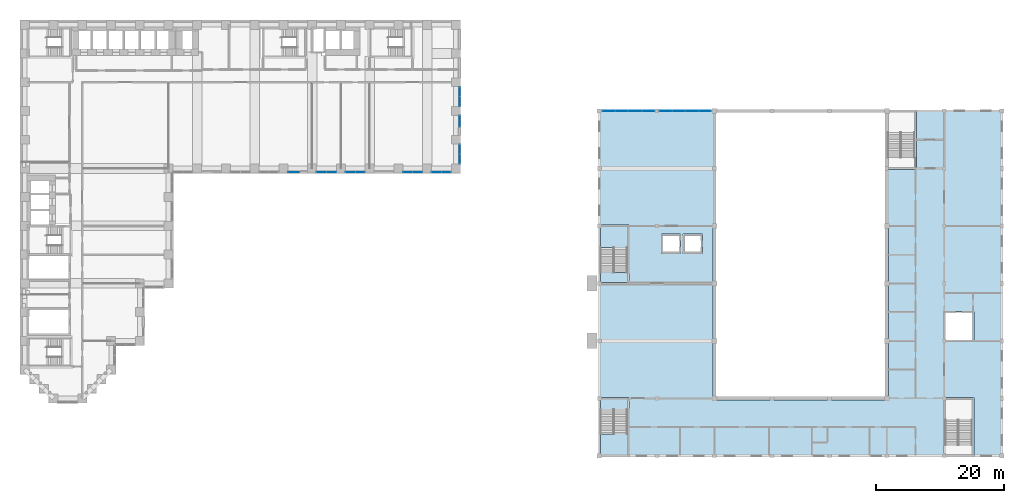
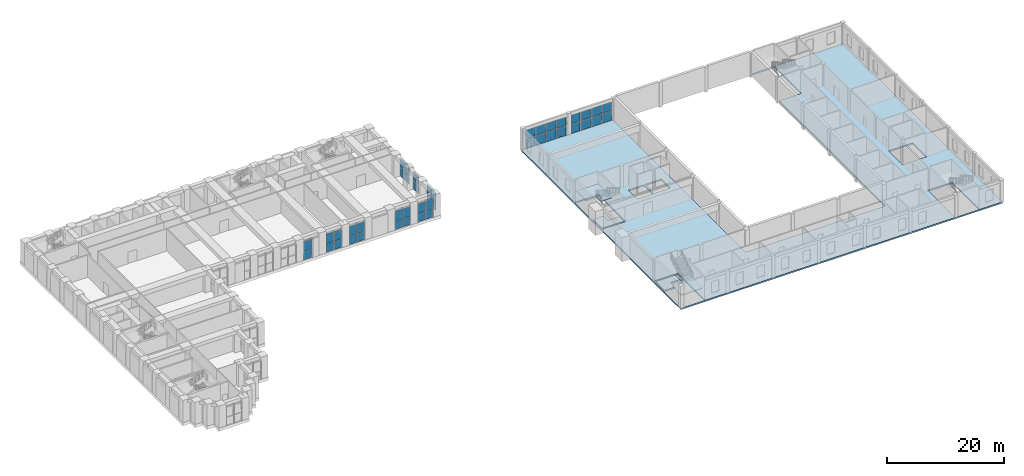
# One storey, part 13 of 30: 44 plates, 5 slabs, 12 elements without a shape of their own.
"""IFC4 building model written with IfcOpenShell, lengths in metres."""

from ifc_helpers import new_model, si_unit, direction, frame, origin, origin_2d, place, context, subcontext, project, spatial, polyline, rectangle, outline, extrude, material, layer, layer_set, type_object, element, aggregate, save


model = new_model("IFC4")

# Units and contexts
model_context = context("Model", 3, precision=1e-05, world=origin(), true_north=direction((0.0, 1.0)))
body_context = subcontext(model_context, "Body", "Model", "MODEL_VIEW")
ifc_project = project(units=[si_unit("LENGTHUNIT", "METRE"), si_unit("AREAUNIT", "SQUARE_METRE"), si_unit("VOLUMEUNIT", "CUBIC_METRE"), si_unit("PLANEANGLEUNIT", "RADIAN"), si_unit("MASSUNIT", "GRAM", prefix="KILO")], contexts=[model_context])

# Site, building, storey
site_placement = place(None, origin())
site = spatial("IfcSite", under=ifc_project, at=site_placement, CompositionType="ELEMENT")
building_placement = place(site_placement, origin())
building = spatial("IfcBuilding", under=site, at=building_placement, Name="Firuza Court", CompositionType="ELEMENT")
storey_placement = place(building_placement, frame((0.0, 0.0, 9.0)))
storey = spatial("IfcBuildingStorey", under=building, at=storey_placement, Name="L01", CompositionType="ELEMENT", Elevation=9.0)

# Curtain wall, plates
ifc_material_1 = material(Name="Aluminium", Category="aluminium")
curtain_wall_type_1 = type_object("IfcCurtainWallType", Name="CW6 FOYER CURTAIN WALL", PredefinedType="NOTDEFINED", material=ifc_material_1)
curtain_wall_1_placement = place(storey_placement, origin())
curtain_wall_1 = element("IfcCurtainWall", 1, at=curtain_wall_1_placement, inside=storey, type_object=curtain_wall_type_1, Name="CW6 foyer curtain wall 5", PredefinedType="NOTDEFINED")
ifc_material_2 = material(Name="Glass", Category="glass")
ifc_layer_1 = layer(ifc_material_2, 0.028076171875)
ifc_layer_set_1 = layer_set([ifc_layer_1], Name="Glass")
plate_type_1 = type_object("IfcPlateType", Name="CW6 GLASS PANEL 28", PredefinedType="CURTAIN_PANEL", material=ifc_layer_set_1)
plate_1_placement = place(storey_placement, frame((91.433837890625, 45.0, 0.1201171875), z_axis=(0.0, 0.0, 1.0), x_axis=(1.0, 0.0, 0.0)))
plate_1 = element("IfcPlate", 2, at=plate_1_placement, type_object=plate_type_1, Name="CW6 panel 1.1", PredefinedType="CURTAIN_PANEL", context=body_context, shape_type="SweptSolid", body=[
    extrude(rectangle(XDim=1.847412109375, YDim=0.028076171875, at=origin_2d()), origin(), (0.0, 0.0, 1.0), 1.919921875),
])
plate_2_placement = place(storey_placement, frame((91.433837890625, 45.0, 2.16015625), z_axis=(0.0, 0.0, 1.0), x_axis=(1.0, 0.0, 0.0)))
plate_2 = element("IfcPlate", 3, at=plate_2_placement, type_object=plate_type_1, Name="CW6 panel 1.2", PredefinedType="CURTAIN_PANEL", context=body_context, shape_type="SweptSolid", body=[
    extrude(rectangle(XDim=1.847412109375, YDim=0.028076171875, at=origin_2d()), origin(), (0.0, 0.0, 1.0), 1.820068359375),
])
plate_3_placement = place(storey_placement, frame((93.481201171875, 45.0, 0.1201171875), z_axis=(0.0, 0.0, 1.0), x_axis=(1.0, 0.0, 0.0)))
plate_3 = element("IfcPlate", 4, at=plate_3_placement, type_object=plate_type_1, Name="CW6 panel 2.1", PredefinedType="CURTAIN_PANEL", context=body_context, shape_type="SweptSolid", body=[
    extrude(rectangle(XDim=1.927490234375, YDim=0.028076171875, at=origin_2d()), origin(), (0.0, 0.0, 1.0), 1.919921875),
])
plate_4_placement = place(storey_placement, frame((93.481201171875, 45.0, 2.16015625), z_axis=(0.0, 0.0, 1.0), x_axis=(1.0, 0.0, 0.0)))
plate_4 = element("IfcPlate", 5, at=plate_4_placement, type_object=plate_type_1, Name="CW6 panel 2.2", PredefinedType="CURTAIN_PANEL", context=body_context, shape_type="SweptSolid", body=[
    extrude(rectangle(XDim=1.927490234375, YDim=0.028076171875, at=origin_2d()), origin(), (0.0, 0.0, 1.0), 1.820068359375),
])
plate_5_placement = place(storey_placement, frame((95.56884765625, 45.0, 0.1201171875), z_axis=(0.0, 0.0, 1.0), x_axis=(1.0, 0.0, 0.0)))
plate_5 = element("IfcPlate", 6, at=plate_5_placement, type_object=plate_type_1, Name="CW6 panel 3.1", PredefinedType="CURTAIN_PANEL", context=body_context, shape_type="SweptSolid", body=[
    extrude(rectangle(XDim=1.927490234375, YDim=0.028076171875, at=origin_2d()), origin(), (0.0, 0.0, 1.0), 1.919921875),
])
plate_6_placement = place(storey_placement, frame((95.56884765625, 45.0, 2.16015625), z_axis=(0.0, 0.0, 1.0), x_axis=(1.0, 0.0, 0.0)))
plate_6 = element("IfcPlate", 7, at=plate_6_placement, type_object=plate_type_1, Name="CW6 panel 3.2", PredefinedType="CURTAIN_PANEL", context=body_context, shape_type="SweptSolid", body=[
    extrude(rectangle(XDim=1.927490234375, YDim=0.028076171875, at=origin_2d()), origin(), (0.0, 0.0, 1.0), 1.820068359375),
])
plate_7_placement = place(storey_placement, frame((97.6162109375, 45.0, 0.1201171875), z_axis=(0.0, 0.0, 1.0), x_axis=(1.0, 0.0, 0.0)))
plate_7 = element("IfcPlate", 8, at=plate_7_placement, type_object=plate_type_1, Name="CW6 panel 4.1", PredefinedType="CURTAIN_PANEL", context=body_context, shape_type="SweptSolid", body=[
    extrude(rectangle(XDim=1.847412109375, YDim=0.028076171875, at=origin_2d()), origin(), (0.0, 0.0, 1.0), 1.919921875),
])
plate_8_placement = place(storey_placement, frame((97.6162109375, 45.0, 2.16015625), z_axis=(0.0, 0.0, 1.0), x_axis=(1.0, 0.0, 0.0)))
plate_8 = element("IfcPlate", 9, at=plate_8_placement, type_object=plate_type_1, Name="CW6 panel 4.2", PredefinedType="CURTAIN_PANEL", context=body_context, shape_type="SweptSolid", body=[
    extrude(rectangle(XDim=1.847412109375, YDim=0.028076171875, at=origin_2d()), origin(), (0.0, 0.0, 1.0), 1.820068359375),
])
aggregate(curtain_wall_1, [plate_1, plate_2, plate_3, plate_4, plate_5, plate_6, plate_7, plate_8])

curtain_wall_2_placement = place(storey_placement, origin())
curtain_wall_2 = element("IfcCurtainWall", 10, at=curtain_wall_2_placement, inside=storey, type_object=curtain_wall_type_1, Name="CW6 foyer curtain wall 6", PredefinedType="NOTDEFINED")
plate_9_placement = place(storey_placement, frame((100.37744140625, 45.0, 0.1201171875), z_axis=(0.0, 0.0, 1.0), x_axis=(1.0, 0.0, 0.0)))
plate_9 = element("IfcPlate", 11, at=plate_9_placement, type_object=plate_type_1, Name="CW6 panel 1.1", PredefinedType="CURTAIN_PANEL", context=body_context, shape_type="SweptSolid", body=[
    extrude(rectangle(XDim=1.8349609375, YDim=0.028076171875, at=origin_2d()), origin(), (0.0, 0.0, 1.0), 1.919921875),
])
plate_10_placement = place(storey_placement, frame((100.37744140625, 45.0, 2.16015625), z_axis=(0.0, 0.0, 1.0), x_axis=(1.0, 0.0, 0.0)))
plate_10 = element("IfcPlate", 12, at=plate_10_placement, type_object=plate_type_1, Name="CW6 panel 1.2", PredefinedType="CURTAIN_PANEL", context=body_context, shape_type="SweptSolid", body=[
    extrude(rectangle(XDim=1.8349609375, YDim=0.028076171875, at=origin_2d()), origin(), (0.0, 0.0, 1.0), 1.820068359375),
])
plate_11_placement = place(storey_placement, frame((102.41259765625, 45.0, 0.1201171875), z_axis=(0.0, 0.0, 1.0), x_axis=(1.0, 0.0, 0.0)))
plate_11 = element("IfcPlate", 13, at=plate_11_placement, type_object=plate_type_1, Name="CW6 panel 2.1", PredefinedType="CURTAIN_PANEL", context=body_context, shape_type="SweptSolid", body=[
    extrude(rectangle(XDim=1.9150390625, YDim=0.028076171875, at=origin_2d()), origin(), (0.0, 0.0, 1.0), 1.919921875),
])
plate_12_placement = place(storey_placement, frame((102.41259765625, 45.0, 2.16015625), z_axis=(0.0, 0.0, 1.0), x_axis=(1.0, 0.0, 0.0)))
plate_12 = element("IfcPlate", 14, at=plate_12_placement, type_object=plate_type_1, Name="CW6 panel 2.2", PredefinedType="CURTAIN_PANEL", context=body_context, shape_type="SweptSolid", body=[
    extrude(rectangle(XDim=1.9150390625, YDim=0.028076171875, at=origin_2d()), origin(), (0.0, 0.0, 1.0), 1.820068359375),
])
plate_13_placement = place(storey_placement, frame((104.487548828125, 45.0, 0.1201171875), z_axis=(0.0, 0.0, 1.0), x_axis=(1.0, 0.0, 0.0)))
plate_13 = element("IfcPlate", 15, at=plate_13_placement, type_object=plate_type_1, Name="CW6 panel 3.1", PredefinedType="CURTAIN_PANEL", context=body_context, shape_type="SweptSolid", body=[
    extrude(rectangle(XDim=1.9150390625, YDim=0.028076171875, at=origin_2d()), origin(), (0.0, 0.0, 1.0), 1.919921875),
])
plate_14_placement = place(storey_placement, frame((104.487548828125, 45.0, 2.16015625), z_axis=(0.0, 0.0, 1.0), x_axis=(1.0, 0.0, 0.0)))
plate_14 = element("IfcPlate", 16, at=plate_14_placement, type_object=plate_type_1, Name="CW6 panel 3.2", PredefinedType="CURTAIN_PANEL", context=body_context, shape_type="SweptSolid", body=[
    extrude(rectangle(XDim=1.9150390625, YDim=0.028076171875, at=origin_2d()), origin(), (0.0, 0.0, 1.0), 1.820068359375),
])
plate_15_placement = place(storey_placement, frame((106.5224609375, 45.0, 0.1201171875), z_axis=(0.0, 0.0, 1.0), x_axis=(1.0, 0.0, 0.0)))
plate_15 = element("IfcPlate", 17, at=plate_15_placement, type_object=plate_type_1, Name="CW6 panel 4.1", PredefinedType="CURTAIN_PANEL", context=body_context, shape_type="SweptSolid", body=[
    extrude(rectangle(XDim=1.8349609375, YDim=0.028076171875, at=origin_2d()), origin(), (0.0, 0.0, 1.0), 1.919921875),
])
plate_16_placement = place(storey_placement, frame((106.5224609375, 45.0, 2.16015625), z_axis=(0.0, 0.0, 1.0), x_axis=(1.0, 0.0, 0.0)))
plate_16 = element("IfcPlate", 18, at=plate_16_placement, type_object=plate_type_1, Name="CW6 panel 4.2", PredefinedType="CURTAIN_PANEL", context=body_context, shape_type="SweptSolid", body=[
    extrude(rectangle(XDim=1.8349609375, YDim=0.028076171875, at=origin_2d()), origin(), (0.0, 0.0, 1.0), 1.820068359375),
])
aggregate(curtain_wall_2, [plate_9, plate_10, plate_11, plate_12, plate_13, plate_14, plate_15, plate_16])

ifc_material_3 = material(Name="Aluminium curtain wall, triple clear glazing", Category="aluminium")
curtain_wall_type_2 = type_object("IfcCurtainWallType", Name="Podium unitised curtain wall CW1", PredefinedType="NOTDEFINED", material=ifc_material_3)
curtain_wall_3_placement = place(storey_placement, origin())
curtain_wall_3 = element("IfcCurtainWall", 19, at=curtain_wall_3_placement, inside=storey, type_object=curtain_wall_type_2, Name="Podium unitised curtain wall CW1 L01", PredefinedType="NOTDEFINED")
ifc_material_4 = material(Name="Triple clear glazing", Category="glass")
ifc_layer_2 = layer(ifc_material_4, 0.031982421875)
ifc_layer_set_2 = layer_set([ifc_layer_2], Name="Triple clear glazing")
plate_type_2 = type_object("IfcPlateType", Name="Glazed panel 32 CW1", PredefinedType="CURTAIN_PANEL", material=ifc_layer_set_2)
plate_17_placement = place(storey_placement, frame((42.112548828125, 35.39990234375, 0.06005859375), z_axis=(0.0, 0.0, 1.0), x_axis=(1.0, 0.0, 0.0)))
plate_17 = element("IfcPlate", 20, at=plate_17_placement, type_object=plate_type_2, Name="CW1 panel 1.1", PredefinedType="CURTAIN_PANEL", context=body_context, shape_type="SweptSolid", body=[
    extrude(rectangle(XDim=1.704833984375, YDim=0.031982421875, at=origin_2d()), origin(), (0.0, 0.0, 1.0), 1.6650390625),
])
plate_18_placement = place(storey_placement, frame((42.112548828125, 35.39990234375, 1.78515625), z_axis=(0.0, 0.0, 1.0), x_axis=(1.0, 0.0, 0.0)))
plate_18 = element("IfcPlate", 21, at=plate_18_placement, type_object=plate_type_2, Name="CW1 panel 1.2", PredefinedType="CURTAIN_PANEL", context=body_context, shape_type="SweptSolid", body=[
    extrude(rectangle(XDim=1.704833984375, YDim=0.031982421875, at=origin_2d()), origin(), (0.0, 0.0, 1.0), 2.054931640625),
])
aggregate(curtain_wall_3, [plate_17, plate_18])

curtain_wall_4_placement = place(storey_placement, origin())
curtain_wall_4 = element("IfcCurtainWall", 22, at=curtain_wall_4_placement, inside=storey, type_object=curtain_wall_type_2, Name="Podium unitised curtain wall CW1 L01", PredefinedType="NOTDEFINED")
plate_19_placement = place(storey_placement, frame((46.489990234375, 35.39990234375, 0.06005859375), z_axis=(0.0, 0.0, 1.0), x_axis=(1.0, 0.0, 0.0)))
plate_19 = element("IfcPlate", 23, at=plate_19_placement, type_object=plate_type_2, Name="CW1 panel 1.1", PredefinedType="CURTAIN_PANEL", context=body_context, shape_type="SweptSolid", body=[
    extrude(rectangle(XDim=1.4599609375, YDim=0.031982421875, at=origin_2d()), origin(), (0.0, 0.0, 1.0), 1.6650390625),
])
plate_20_placement = place(storey_placement, frame((46.489990234375, 35.39990234375, 1.78515625), z_axis=(0.0, 0.0, 1.0), x_axis=(1.0, 0.0, 0.0)))
plate_20 = element("IfcPlate", 24, at=plate_20_placement, type_object=plate_type_2, Name="CW1 panel 1.2", PredefinedType="CURTAIN_PANEL", context=body_context, shape_type="SweptSolid", body=[
    extrude(rectangle(XDim=1.4599609375, YDim=0.031982421875, at=origin_2d()), origin(), (0.0, 0.0, 1.0), 2.054931640625),
])
plate_21_placement = place(storey_placement, frame((48.010009765625, 35.39990234375, 0.06005859375), z_axis=(0.0, 0.0, 1.0), x_axis=(1.0, 0.0, 0.0)))
plate_21 = element("IfcPlate", 25, at=plate_21_placement, type_object=plate_type_2, Name="CW1 panel 2.1", PredefinedType="CURTAIN_PANEL", context=body_context, shape_type="SweptSolid", body=[
    extrude(rectangle(XDim=1.4599609375, YDim=0.031982421875, at=origin_2d()), origin(), (0.0, 0.0, 1.0), 1.6650390625),
])
plate_22_placement = place(storey_placement, frame((48.010009765625, 35.39990234375, 1.78515625), z_axis=(0.0, 0.0, 1.0), x_axis=(1.0, 0.0, 0.0)))
plate_22 = element("IfcPlate", 26, at=plate_22_placement, type_object=plate_type_2, Name="CW1 panel 2.2", PredefinedType="CURTAIN_PANEL", context=body_context, shape_type="SweptSolid", body=[
    extrude(rectangle(XDim=1.4599609375, YDim=0.031982421875, at=origin_2d()), origin(), (0.0, 0.0, 1.0), 2.054931640625),
])
aggregate(curtain_wall_4, [plate_19, plate_20, plate_21, plate_22])

curtain_wall_5_placement = place(storey_placement, origin())
curtain_wall_5 = element("IfcCurtainWall", 27, at=curtain_wall_5_placement, inside=storey, type_object=curtain_wall_type_2, Name="Podium unitised curtain wall CW1 L01", PredefinedType="NOTDEFINED")
plate_23_placement = place(storey_placement, frame((50.989990234375, 35.39990234375, 0.06005859375), z_axis=(0.0, 0.0, 1.0), x_axis=(1.0, 0.0, 0.0)))
plate_23 = element("IfcPlate", 28, at=plate_23_placement, type_object=plate_type_2, Name="CW1 panel 1.1", PredefinedType="CURTAIN_PANEL", context=body_context, shape_type="SweptSolid", body=[
    extrude(rectangle(XDim=1.4599609375, YDim=0.031982421875, at=origin_2d()), origin(), (0.0, 0.0, 1.0), 1.6650390625),
])
plate_24_placement = place(storey_placement, frame((50.989990234375, 35.39990234375, 1.78515625), z_axis=(0.0, 0.0, 1.0), x_axis=(1.0, 0.0, 0.0)))
plate_24 = element("IfcPlate", 29, at=plate_24_placement, type_object=plate_type_2, Name="CW1 panel 1.2", PredefinedType="CURTAIN_PANEL", context=body_context, shape_type="SweptSolid", body=[
    extrude(rectangle(XDim=1.4599609375, YDim=0.031982421875, at=origin_2d()), origin(), (0.0, 0.0, 1.0), 2.054931640625),
])
plate_25_placement = place(storey_placement, frame((52.510009765625, 35.39990234375, 0.06005859375), z_axis=(0.0, 0.0, 1.0), x_axis=(1.0, 0.0, 0.0)))
plate_25 = element("IfcPlate", 30, at=plate_25_placement, type_object=plate_type_2, Name="CW1 panel 2.1", PredefinedType="CURTAIN_PANEL", context=body_context, shape_type="SweptSolid", body=[
    extrude(rectangle(XDim=1.4599609375, YDim=0.031982421875, at=origin_2d()), origin(), (0.0, 0.0, 1.0), 1.6650390625),
])
plate_26_placement = place(storey_placement, frame((52.510009765625, 35.39990234375, 1.78515625), z_axis=(0.0, 0.0, 1.0), x_axis=(1.0, 0.0, 0.0)))
plate_26 = element("IfcPlate", 31, at=plate_26_placement, type_object=plate_type_2, Name="CW1 panel 2.2", PredefinedType="CURTAIN_PANEL", context=body_context, shape_type="SweptSolid", body=[
    extrude(rectangle(XDim=1.4599609375, YDim=0.031982421875, at=origin_2d()), origin(), (0.0, 0.0, 1.0), 2.054931640625),
])
aggregate(curtain_wall_5, [plate_23, plate_24, plate_25, plate_26])

curtain_wall_6_placement = place(storey_placement, origin())
curtain_wall_6 = element("IfcCurtainWall", 32, at=curtain_wall_6_placement, inside=storey, type_object=curtain_wall_type_2, Name="Podium unitised curtain wall CW1 L01", PredefinedType="NOTDEFINED")
plate_27_placement = place(storey_placement, frame((59.989990234375, 35.39990234375, 0.06005859375), z_axis=(0.0, 0.0, 1.0), x_axis=(1.0, 0.0, 0.0)))
plate_27 = element("IfcPlate", 33, at=plate_27_placement, type_object=plate_type_2, Name="CW1 panel 1.1", PredefinedType="CURTAIN_PANEL", context=body_context, shape_type="SweptSolid", body=[
    extrude(rectangle(XDim=1.4599609375, YDim=0.031982421875, at=origin_2d()), origin(), (0.0, 0.0, 1.0), 1.6650390625),
])
plate_28_placement = place(storey_placement, frame((59.989990234375, 35.39990234375, 1.78515625), z_axis=(0.0, 0.0, 1.0), x_axis=(1.0, 0.0, 0.0)))
plate_28 = element("IfcPlate", 34, at=plate_28_placement, type_object=plate_type_2, Name="CW1 panel 1.2", PredefinedType="CURTAIN_PANEL", context=body_context, shape_type="SweptSolid", body=[
    extrude(rectangle(XDim=1.4599609375, YDim=0.031982421875, at=origin_2d()), origin(), (0.0, 0.0, 1.0), 2.054931640625),
])
plate_29_placement = place(storey_placement, frame((61.510009765625, 35.39990234375, 0.06005859375), z_axis=(0.0, 0.0, 1.0), x_axis=(1.0, 0.0, 0.0)))
plate_29 = element("IfcPlate", 35, at=plate_29_placement, type_object=plate_type_2, Name="CW1 panel 2.1", PredefinedType="CURTAIN_PANEL", context=body_context, shape_type="SweptSolid", body=[
    extrude(rectangle(XDim=1.4599609375, YDim=0.031982421875, at=origin_2d()), origin(), (0.0, 0.0, 1.0), 1.6650390625),
])
plate_30_placement = place(storey_placement, frame((61.510009765625, 35.39990234375, 1.78515625), z_axis=(0.0, 0.0, 1.0), x_axis=(1.0, 0.0, 0.0)))
plate_30 = element("IfcPlate", 36, at=plate_30_placement, type_object=plate_type_2, Name="CW1 panel 2.2", PredefinedType="CURTAIN_PANEL", context=body_context, shape_type="SweptSolid", body=[
    extrude(rectangle(XDim=1.4599609375, YDim=0.031982421875, at=origin_2d()), origin(), (0.0, 0.0, 1.0), 2.054931640625),
])
aggregate(curtain_wall_6, [plate_27, plate_28, plate_29, plate_30])

curtain_wall_7_placement = place(storey_placement, origin())
curtain_wall_7 = element("IfcCurtainWall", 37, at=curtain_wall_7_placement, inside=storey, type_object=curtain_wall_type_2, Name="Podium unitised curtain wall CW1 L01", PredefinedType="NOTDEFINED")
plate_31_placement = place(storey_placement, frame((64.489990234375, 35.39990234375, 0.06005859375), z_axis=(0.0, 0.0, 1.0), x_axis=(1.0, 0.0, 0.0)))
plate_31 = element("IfcPlate", 38, at=plate_31_placement, type_object=plate_type_2, Name="CW1 panel 1.1", PredefinedType="CURTAIN_PANEL", context=body_context, shape_type="SweptSolid", body=[
    extrude(rectangle(XDim=1.4599609375, YDim=0.031982421875, at=origin_2d()), origin(), (0.0, 0.0, 1.0), 1.6650390625),
])
plate_32_placement = place(storey_placement, frame((64.489990234375, 35.39990234375, 1.78515625), z_axis=(0.0, 0.0, 1.0), x_axis=(1.0, 0.0, 0.0)))
plate_32 = element("IfcPlate", 39, at=plate_32_placement, type_object=plate_type_2, Name="CW1 panel 1.2", PredefinedType="CURTAIN_PANEL", context=body_context, shape_type="SweptSolid", body=[
    extrude(rectangle(XDim=1.4599609375, YDim=0.031982421875, at=origin_2d()), origin(), (0.0, 0.0, 1.0), 2.054931640625),
])
plate_33_placement = place(storey_placement, frame((66.010009765625, 35.39990234375, 0.06005859375), z_axis=(0.0, 0.0, 1.0), x_axis=(1.0, 0.0, 0.0)))
plate_33 = element("IfcPlate", 40, at=plate_33_placement, type_object=plate_type_2, Name="CW1 panel 2.1", PredefinedType="CURTAIN_PANEL", context=body_context, shape_type="SweptSolid", body=[
    extrude(rectangle(XDim=1.4599609375, YDim=0.031982421875, at=origin_2d()), origin(), (0.0, 0.0, 1.0), 1.6650390625),
])
plate_34_placement = place(storey_placement, frame((66.010009765625, 35.39990234375, 1.78515625), z_axis=(0.0, 0.0, 1.0), x_axis=(1.0, 0.0, 0.0)))
plate_34 = element("IfcPlate", 41, at=plate_34_placement, type_object=plate_type_2, Name="CW1 panel 2.2", PredefinedType="CURTAIN_PANEL", context=body_context, shape_type="SweptSolid", body=[
    extrude(rectangle(XDim=1.4599609375, YDim=0.031982421875, at=origin_2d()), origin(), (0.0, 0.0, 1.0), 2.054931640625),
])
aggregate(curtain_wall_7, [plate_31, plate_32, plate_33, plate_34])

curtain_wall_8_placement = place(storey_placement, origin())
curtain_wall_8 = element("IfcCurtainWall", 42, at=curtain_wall_8_placement, inside=storey, type_object=curtain_wall_type_2, Name="Podium unitised curtain wall CW1 L01", PredefinedType="NOTDEFINED")
plate_35_placement = place(storey_placement, frame((68.10009765625, 37.489990234375, 0.06005859375), z_axis=(0.0, 0.0, 1.0), x_axis=(0.0, 1.0, 0.0)))
plate_35 = element("IfcPlate", 43, at=plate_35_placement, type_object=plate_type_2, Name="CW1 panel 1.1", PredefinedType="CURTAIN_PANEL", context=body_context, shape_type="SweptSolid", body=[
    extrude(rectangle(XDim=1.4599609375, YDim=0.031982421875, at=origin_2d()), origin(), (0.0, 0.0, 1.0), 1.6650390625),
])
plate_36_placement = place(storey_placement, frame((68.10009765625, 37.489990234375, 1.78515625), z_axis=(0.0, 0.0, 1.0), x_axis=(0.0, 1.0, 0.0)))
plate_36 = element("IfcPlate", 44, at=plate_36_placement, type_object=plate_type_2, Name="CW1 panel 1.2", PredefinedType="CURTAIN_PANEL", context=body_context, shape_type="SweptSolid", body=[
    extrude(rectangle(XDim=1.4599609375, YDim=0.031982421875, at=origin_2d()), origin(), (0.0, 0.0, 1.0), 2.054931640625),
])
plate_37_placement = place(storey_placement, frame((68.10009765625, 39.010009765625, 0.06005859375), z_axis=(0.0, 0.0, 1.0), x_axis=(0.0, 1.0, 0.0)))
plate_37 = element("IfcPlate", 45, at=plate_37_placement, type_object=plate_type_2, Name="CW1 panel 2.1", PredefinedType="CURTAIN_PANEL", context=body_context, shape_type="SweptSolid", body=[
    extrude(rectangle(XDim=1.4599609375, YDim=0.031982421875, at=origin_2d()), origin(), (0.0, 0.0, 1.0), 1.6650390625),
])
plate_38_placement = place(storey_placement, frame((68.10009765625, 39.010009765625, 1.78515625), z_axis=(0.0, 0.0, 1.0), x_axis=(0.0, 1.0, 0.0)))
plate_38 = element("IfcPlate", 46, at=plate_38_placement, type_object=plate_type_2, Name="CW1 panel 2.2", PredefinedType="CURTAIN_PANEL", context=body_context, shape_type="SweptSolid", body=[
    extrude(rectangle(XDim=1.4599609375, YDim=0.031982421875, at=origin_2d()), origin(), (0.0, 0.0, 1.0), 2.054931640625),
])
aggregate(curtain_wall_8, [plate_35, plate_36, plate_37, plate_38])

curtain_wall_9_placement = place(storey_placement, origin())
curtain_wall_9 = element("IfcCurtainWall", 47, at=curtain_wall_9_placement, inside=storey, type_object=curtain_wall_type_2, Name="Podium unitised curtain wall CW1 L01", PredefinedType="NOTDEFINED")
plate_39_placement = place(storey_placement, frame((68.10009765625, 43.387451171875, 0.06005859375), z_axis=(0.0, 0.0, 1.0), x_axis=(0.0, 1.0, 0.0)))
plate_39 = element("IfcPlate", 48, at=plate_39_placement, type_object=plate_type_2, Name="CW1 panel 1.1", PredefinedType="CURTAIN_PANEL", context=body_context, shape_type="SweptSolid", body=[
    extrude(rectangle(XDim=1.704833984375, YDim=0.031982421875, at=origin_2d()), origin(), (0.0, 0.0, 1.0), 1.6650390625),
])
plate_40_placement = place(storey_placement, frame((68.10009765625, 43.387451171875, 1.78515625), z_axis=(0.0, 0.0, 1.0), x_axis=(0.0, 1.0, 0.0)))
plate_40 = element("IfcPlate", 49, at=plate_40_placement, type_object=plate_type_2, Name="CW1 panel 1.2", PredefinedType="CURTAIN_PANEL", context=body_context, shape_type="SweptSolid", body=[
    extrude(rectangle(XDim=1.704833984375, YDim=0.031982421875, at=origin_2d()), origin(), (0.0, 0.0, 1.0), 2.054931640625),
])
aggregate(curtain_wall_9, [plate_39, plate_40])

curtain_wall_10_placement = place(storey_placement, origin())
curtain_wall_10 = element("IfcCurtainWall", 50, at=curtain_wall_10_placement, inside=storey, type_object=curtain_wall_type_2, Name="Podium unitised curtain wall CW1 L01", PredefinedType="NOTDEFINED")
plate_41_placement = place(storey_placement, frame((68.10009765625, 46.489990234375, 0.06005859375), z_axis=(0.0, 0.0, 1.0), x_axis=(0.0, 1.0, 0.0)))
plate_41 = element("IfcPlate", 51, at=plate_41_placement, type_object=plate_type_2, Name="CW1 panel 1.1", PredefinedType="CURTAIN_PANEL", context=body_context, shape_type="SweptSolid", body=[
    extrude(rectangle(XDim=1.4599609375, YDim=0.031982421875, at=origin_2d()), origin(), (0.0, 0.0, 1.0), 1.6650390625),
])
plate_42_placement = place(storey_placement, frame((68.10009765625, 46.489990234375, 1.78515625), z_axis=(0.0, 0.0, 1.0), x_axis=(0.0, 1.0, 0.0)))
plate_42 = element("IfcPlate", 52, at=plate_42_placement, type_object=plate_type_2, Name="CW1 panel 1.2", PredefinedType="CURTAIN_PANEL", context=body_context, shape_type="SweptSolid", body=[
    extrude(rectangle(XDim=1.4599609375, YDim=0.031982421875, at=origin_2d()), origin(), (0.0, 0.0, 1.0), 2.054931640625),
])
plate_43_placement = place(storey_placement, frame((68.10009765625, 48.010009765625, 0.06005859375), z_axis=(0.0, 0.0, 1.0), x_axis=(0.0, 1.0, 0.0)))
plate_43 = element("IfcPlate", 53, at=plate_43_placement, type_object=plate_type_2, Name="CW1 panel 2.1", PredefinedType="CURTAIN_PANEL", context=body_context, shape_type="SweptSolid", body=[
    extrude(rectangle(XDim=1.4599609375, YDim=0.031982421875, at=origin_2d()), origin(), (0.0, 0.0, 1.0), 1.6650390625),
])
plate_44_placement = place(storey_placement, frame((68.10009765625, 48.010009765625, 1.78515625), z_axis=(0.0, 0.0, 1.0), x_axis=(0.0, 1.0, 0.0)))
plate_44 = element("IfcPlate", 54, at=plate_44_placement, type_object=plate_type_2, Name="CW1 panel 2.2", PredefinedType="CURTAIN_PANEL", context=body_context, shape_type="SweptSolid", body=[
    extrude(rectangle(XDim=1.4599609375, YDim=0.031982421875, at=origin_2d()), origin(), (0.0, 0.0, 1.0), 2.054931640625),
])
aggregate(curtain_wall_10, [plate_41, plate_42, plate_43, plate_44])

# Slabs
ifc_material_5 = material(Name="Concrete C40/50", Category="concrete")
ifc_layer_3 = layer(ifc_material_5, 0.300048828125)
ifc_layer_set_3 = layer_set([ifc_layer_3], Name="Concrete C40/50")
slab_type_1 = type_object("IfcSlabType", Name="HALL FLAT SLAB 300", PredefinedType="FLOOR", material=ifc_layer_set_3)
slab_1_placement = place(storey_placement, frame((0.0, 0.0, -0.300048828125)))
element("IfcSlab", 55, at=slab_1_placement, inside=storey, type_object=slab_type_1, Name="Floor slab L01.2", PredefinedType="FLOOR", context=body_context, shape_type="SweptSolid", body=[
    extrude(outline(polyline([(90.125, -3.199951171875), (90.125, -0.125), (94.375, -0.125), (94.375, -1.7099609375), (92.199951171875, -1.7099609375), (92.199951171875, -3.199951171875), (90.125, -3.199951171875)])), origin(), (0.0, 0.0, 1.0), 0.300048828125),
])
slab_2_placement = place(storey_placement, frame((0.0, 0.0, -0.300048828125)))
element("IfcSlab", 56, at=slab_2_placement, inside=storey, type_object=slab_type_1, Name="Floor slab L01.3", PredefinedType="FLOOR", context=body_context, shape_type="SweptSolid", body=[
    extrude(outline(polyline([(107.824951171875, 45.175048828125), (107.824951171875, 27.25), (107.75, 27.25), (107.75, -0.25), (135.25, -0.25), (135.25, 27.25), (135.175048828125, 27.25), (135.175048828125, 35.875), (139.625, 35.875), (139.625, 45.125), (135.175048828125, 45.125), (135.175048828125, 45.175048828125), (153.175048828125, 45.175048828125), (153.175048828125, -9.175048828125), (89.824951171875, -9.175048828125), (89.824951171875, 45.175048828125), (107.824951171875, 45.175048828125)]), holes=[polyline([(94.625, -9.125), (94.625, 0.125), (89.875, 0.125), (89.875, -9.125), (94.625, -9.125)]), polyline([(148.625, -9.125), (148.625, 0.125), (143.875, 0.125), (143.875, -9.125), (148.625, -9.125)]), polyline([(148.625, 8.875), (148.625, 13.625), (143.875, 13.625), (143.875, 8.875), (148.625, 8.875)]), polyline([(94.625, 17.875), (94.625, 27.125), (89.875, 27.125), (89.875, 17.875), (94.625, 17.875)]), polyline([(102.72509765625, 22.675048828125), (102.72509765625, 25.72509765625), (99.675048828125, 25.72509765625), (99.675048828125, 22.675048828125), (102.72509765625, 22.675048828125)]), polyline([(106.125, 22.675048828125), (106.125, 25.72509765625), (103.074951171875, 25.72509765625), (103.074951171875, 22.675048828125), (106.125, 22.675048828125)])]), origin(), (0.0, 0.0, 1.0), 0.300048828125),
])
slab_3_placement = place(storey_placement, frame((0.0, 0.0, -0.300048828125)))
element("IfcSlab", 57, at=slab_3_placement, inside=storey, type_object=slab_type_1, Name="Floor slab L01.4", PredefinedType="FLOOR", context=body_context, shape_type="SweptSolid", body=[
    extrude(outline(polyline([(90.125, 18.125), (90.125, 21.199951171875), (92.199951171875, 21.199951171875), (92.199951171875, 19.7099609375), (94.375, 19.7099609375), (94.375, 18.125), (90.125, 18.125)])), origin(), (0.0, 0.0, 1.0), 0.300048828125),
])

# Stair, slab
ifc_material_6 = material(Name="Concrete C40/50", Category="concrete")
stair_type = type_object("IfcStairType", Name="HALL STAIR", PredefinedType="NOTDEFINED", material=ifc_material_6)
stair_1_placement = place(storey_placement, origin())
stair_1 = element("IfcStair", 58, at=stair_1_placement, inside=storey, type_object=stair_type, Name="Stair H1 L01", PredefinedType="NOTDEFINED")
ifc_layer_4 = layer(ifc_material_5, 0.199951171875)
ifc_layer_set_4 = layer_set([ifc_layer_4], Name="Concrete C40/50")
slab_type_2 = type_object("IfcSlabType", Name="HALL STAIR LANDING 200", PredefinedType="LANDING", material=ifc_layer_set_4)
slab_4_placement = place(storey_placement, frame((0.0, 0.0, 2.300048828125)))
slab_4 = element("IfcSlab", 59, at=slab_4_placement, type_object=slab_type_2, Name="HS-1 landing 1", PredefinedType="LANDING", context=body_context, shape_type="SweptSolid", body=[
    extrude(outline(polyline([(90.125, -5.610107421875), (92.199951171875, -5.610107421875), (92.199951171875, -4.1201171875), (94.375, -4.1201171875), (94.375, -8.875), (90.125, -8.875), (90.125, -5.610107421875)])), origin(), (0.0, 0.0, 1.0), 0.199951171875),
])
aggregate(stair_1, [slab_4])

stair_2_placement = place(storey_placement, origin())
stair_2 = element("IfcStair", 60, at=stair_2_placement, inside=storey, type_object=stair_type, Name="Stair H3 L01", PredefinedType="NOTDEFINED")
slab_5_placement = place(storey_placement, frame((0.0, 0.0, 2.300048828125)))
slab_5 = element("IfcSlab", 61, at=slab_5_placement, type_object=slab_type_2, Name="HS-3 landing 1", PredefinedType="LANDING", context=body_context, shape_type="SweptSolid", body=[
    extrude(outline(polyline([(90.125, 23.610107421875), (92.199951171875, 23.610107421875), (92.199951171875, 22.1201171875), (94.375, 22.1201171875), (94.375, 26.875), (90.125, 26.875), (90.125, 23.610107421875)])), origin(), (0.0, 0.0, 1.0), 0.199951171875),
])
aggregate(stair_2, [slab_5])

save(model, "model.ifc")
